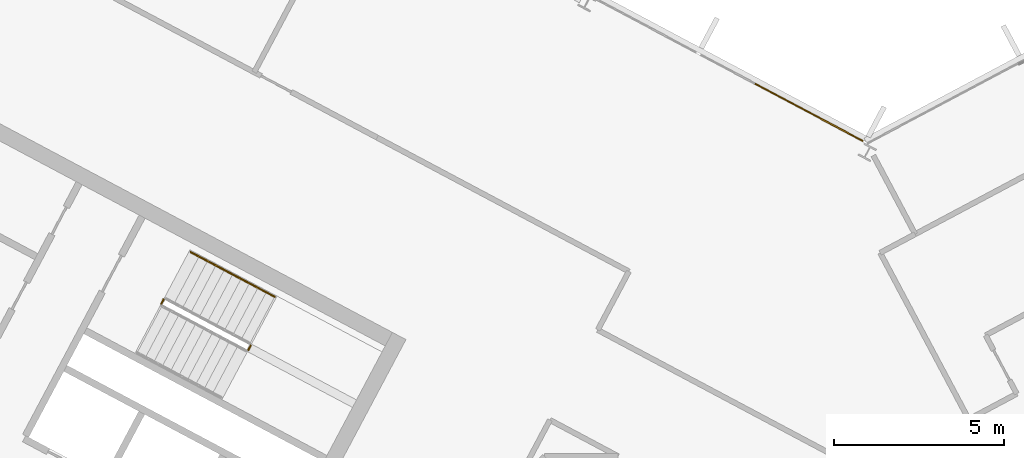
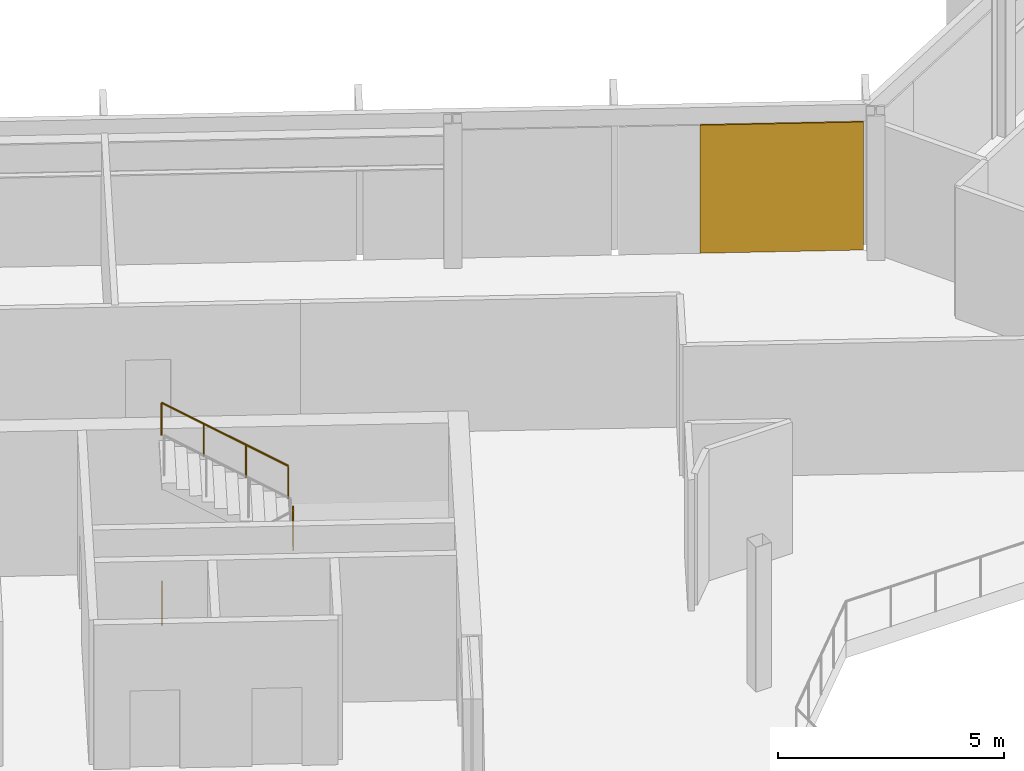
# One storey, part 25 of 30: 3 railings, 1 covering, 1 element without a shape of its own.
"""IFC4 building model written with IfcOpenShell, lengths in metres."""

import ifcopenshell
import ifcopenshell.guid

model = None  # the IFC model being written
_history = None  # IfcOwnerHistory: only IFC2X3 demands one
_inside = {}  # id of a spatial element -> (the spatial element, [elements in it])
_under = {}  # id of a project, library or spatial element -> (it, [spatial elements below it])
_declared = {}  # id of a project -> (the project, [libraries it declares])
_typed = {}  # id of a type object -> (the type object, [elements of that type])
_made_of = {}  # id of a material, layer set ... -> (it, [elements and type objects made of it])


def new_model(schema):
    """Start an empty IFC model of exactly this schema.

    Asked for "IFC4X3", IfcOpenShell would pick the latest addendum, in which some entities
    have other attributes; the version numbers below select the first issue.
    IFC2X3 requires an IfcOwnerHistory on every rooted entity: one is made here for all.
    """
    global model, _history
    if schema == "IFC4X3":
        model = ifcopenshell.file(schema_version=(4, 3, 0, 0))
    else:
        model = ifcopenshell.file(schema=schema)
    _inside.clear()
    _under.clear()
    _declared.clear()
    _typed.clear()
    _made_of.clear()
    _history = None
    if model.schema == "IFC2X3":
        org = make("IfcOrganization", Name="unknown")
        user = make(
            "IfcPersonAndOrganization",
            ThePerson=make("IfcPerson", FamilyName="unknown"),
            TheOrganization=org,
        )
        app = make(
            "IfcApplication",
            ApplicationDeveloper=org,
            Version="unknown",
            ApplicationFullName="unknown",
            ApplicationIdentifier="unknown",
        )
        _history = make(
            "IfcOwnerHistory",
            OwningUser=user,
            OwningApplication=app,
            ChangeAction="ADDED",
            CreationDate=0,
        )
    return model


def make(cls, **values):
    """One entity of the class cls with the attributes given. An attribute that is None is left unset."""
    return model.create_entity(
        cls, **{name: value for name, value in values.items() if value is not None}
    )


def rooted(cls, **values):
    """An entity with a GlobalId (a new one), such as an element, a storey or a relation."""
    return make(cls, GlobalId=ifcopenshell.guid.new(), OwnerHistory=_history, **values)


def si_unit(unit_type, name, prefix=None):
    """IfcSIUnit, for example si_unit("LENGTHUNIT", "METRE", prefix="MILLI")."""
    return make("IfcSIUnit", UnitType=unit_type, Prefix=prefix, Name=name)


def assignment(units):
    """IfcUnitAssignment: the units of a project."""
    return None if units is None else make("IfcUnitAssignment", Units=units)


def point(xyz):
    """IfcCartesianPoint."""
    return None if xyz is None else make("IfcCartesianPoint", Coordinates=xyz)


def direction(xyz):
    """IfcDirection."""
    return None if xyz is None else make("IfcDirection", DirectionRatios=xyz)


def frame(location, z_axis=None, x_axis=None):
    """IfcAxis2Placement3D, a coordinate frame: its origin and axes. An axis left out is left unset."""
    return make(
        "IfcAxis2Placement3D",
        Location=point(location),
        Axis=direction(z_axis),
        RefDirection=direction(x_axis),
    )


def frame_2d(location, x_axis=None):
    """IfcAxis2Placement2D, a coordinate frame in the plane: its origin and x axis."""
    return make(
        "IfcAxis2Placement2D", Location=point(location), RefDirection=direction(x_axis)
    )


def origin():
    """The frame at (0, 0, 0) with its axes left unset."""
    return frame((0.0, 0.0, 0.0))


def origin_2d():
    """The frame at (0, 0) in the plane with its x axis left unset."""
    return frame_2d((0.0, 0.0))


def place(relative_to, where):
    """IfcLocalPlacement: puts the frame where relative to a parent placement (None: the world)."""
    return make(
        "IfcLocalPlacement", PlacementRelTo=relative_to, RelativePlacement=where
    )


def context(
    kind, dimensions, precision=None, world=None, true_north=None, identifier=None
):
    """IfcGeometricRepresentationContext, for example the 3D "Model" context."""
    return make(
        "IfcGeometricRepresentationContext",
        ContextIdentifier=identifier,
        ContextType=kind,
        CoordinateSpaceDimension=dimensions,
        Precision=precision,
        WorldCoordinateSystem=world,
        TrueNorth=true_north,
    )


def subcontext(parent, identifier, kind, view, scale=None):
    """IfcGeometricRepresentationSubContext, for example "Body" below "Model"."""
    return make(
        "IfcGeometricRepresentationSubContext",
        ContextIdentifier=identifier,
        ContextType=kind,
        ParentContext=parent,
        TargetScale=scale,
        TargetView=view,
    )


def project(units=None, contexts=None):
    """IfcProject with its units and contexts."""
    return rooted(
        "IfcProject",
        Name="project",
        RepresentationContexts=contexts,
        UnitsInContext=assignment(units),
    )


def spatial(cls, under=None, at=None, **own):
    """A site, building, storey or space (cls), placed at a placement, below another one or the project."""
    s = rooted(cls, ObjectPlacement=at, **own)
    if under is not None:
        _under.setdefault(under.id(), (under, []))[1].append(s)
    return s


def polyline(points):
    """IfcPolyline through the points."""
    return make("IfcPolyline", Points=[point(p) for p in points])


def profile(cls, at=None, kind="AREA", **sizes):
    """A parametric profile (cls). Its sizes go by their IFC names, for example OverallWidth=200.0."""
    return make(cls, ProfileType=kind, Position=at, **sizes)


def rectangle(**sizes):
    """IfcRectangleProfileDef."""
    return profile("IfcRectangleProfileDef", **sizes)


def outline(outer, holes=None, kind="AREA"):
    """IfcArbitraryClosedProfileDef: a profile drawn as a closed curve; with holes, ...WithVoids."""
    if holes is None:
        return make("IfcArbitraryClosedProfileDef", ProfileType=kind, OuterCurve=outer)
    return make(
        "IfcArbitraryProfileDefWithVoids",
        ProfileType=kind,
        OuterCurve=outer,
        InnerCurves=holes,
    )


def extrude(swept, where, along, depth):
    """IfcExtrudedAreaSolid: the profile swept, set in the frame where, extruded along a direction by depth."""
    return make(
        "IfcExtrudedAreaSolid",
        SweptArea=swept,
        Position=where,
        ExtrudedDirection=direction(along),
        Depth=depth,
    )


def shape(context_of_items, identifier, shape_type, items):
    """IfcShapeRepresentation: the items that make up one representation, for example the "Body"."""
    return make(
        "IfcShapeRepresentation",
        ContextOfItems=context_of_items,
        RepresentationIdentifier=identifier,
        RepresentationType=shape_type,
        Items=items,
    )


def material(Name=None, Category=None):
    """IfcMaterial."""
    return make("IfcMaterial", Name=Name, Category=Category)


def layer(
    of_material, thickness, ventilated=None, Name=None, Category=None, Priority=None
):
    """IfcMaterialLayer: one layer of a wall or slab, of a material (None: an air gap)."""
    return make(
        "IfcMaterialLayer",
        Material=of_material,
        LayerThickness=thickness,
        IsVentilated=ventilated,
        Name=Name,
        Category=Category,
        Priority=Priority,
    )


def layer_set(layers, Name=None):
    """IfcMaterialLayerSet."""
    return make("IfcMaterialLayerSet", MaterialLayers=layers, LayerSetName=Name)


def made_of(thing, what):
    """Note that an element or type object is made of a material, layer set ...; save() writes the relation."""
    if what is not None:
        _made_of.setdefault(what.id(), (what, []))[1].append(thing)
    return thing


def type_object(cls, material=None, **own):
    """A type object (cls), such as IfcWallType, which elements share."""
    return made_of(rooted(cls, **own), material)


def element(
    cls,
    number,
    at=None,
    inside=None,
    cuts=None,
    type_object=None,
    material=None,
    context=None,
    identifier="Body",
    shape_type=None,
    held_by="IfcProductDefinitionShape",
    body=None,
    shapes=None,
    **own,
):
    """One element of the class cls, such as IfcWall. Its Tag is "e" and its number.

    at: its placement. inside: the storey or other place that contains it. cuts: it is an
    opening in that element (IfcRelVoidsElement). A single representation is given by context,
    identifier, shape_type and body (its items); several are given by shapes. held_by: the class
    of the entity that holds the representations. save() writes the other relations.
    """
    e = rooted(cls, Tag="e%d" % number, ObjectPlacement=at, **own)
    if body is not None:
        shapes = [shape(context, identifier, shape_type, body)]
    if shapes is not None:
        e.Representation = make(held_by, Representations=shapes)
    if inside is not None:
        _inside.setdefault(inside.id(), (inside, []))[1].append(e)
    if cuts is not None:
        rooted(
            "IfcRelVoidsElement", RelatingBuildingElement=cuts, RelatedOpeningElement=e
        )
    if type_object is not None:
        _typed.setdefault(type_object.id(), (type_object, []))[1].append(e)
    return made_of(e, material)


def aggregate(whole, parts):
    """IfcRelAggregates: a whole, such as a stair, and the parts it consists of."""
    return rooted("IfcRelAggregates", RelatingObject=whole, RelatedObjects=parts)


def save(model, path):
    """Write the relations noted so far, then the file.

    IfcRelAggregates (storeys below a building ...), IfcRelContainedInSpatialStructure (elements
    in a storey), IfcRelDefinesByType, IfcRelAssociatesMaterial and IfcRelDeclares: one each for
    every whole, place, type object, material and project.
    """
    for whole, parts in _under.values():
        aggregate(whole, parts)
    for where, things in _inside.values():
        rooted(
            "IfcRelContainedInSpatialStructure",
            RelatedElements=things,
            RelatingStructure=where,
        )
    for kind, things in _typed.values():
        rooted("IfcRelDefinesByType", RelatedObjects=things, RelatingType=kind)
    for what, things in _made_of.values():
        rooted("IfcRelAssociatesMaterial", RelatedObjects=things, RelatingMaterial=what)
    for by, libraries in _declared.values():
        rooted("IfcRelDeclares", RelatingContext=by, RelatedDefinitions=libraries)
    model.write(path)


model = new_model("IFC4")

# Units and contexts
model_context = context("Model", 3, precision=1e-05, world=origin(), true_north=direction((0.0, 1.0)))
body_context = subcontext(model_context, "Body", "Model", "MODEL_VIEW")
ifc_project = project(units=[si_unit("LENGTHUNIT", "METRE"), si_unit("AREAUNIT", "SQUARE_METRE"), si_unit("VOLUMEUNIT", "CUBIC_METRE"), si_unit("PLANEANGLEUNIT", "RADIAN"), si_unit("MASSUNIT", "GRAM", prefix="KILO")], contexts=[model_context])

# Site, building, storey
site_placement = place(None, origin())
site = spatial("IfcSite", under=ifc_project, at=site_placement, CompositionType="ELEMENT")
building_placement = place(site_placement, origin())
building = spatial("IfcBuilding", under=site, at=building_placement, Name="Cormorant Relay Tower", CompositionType="ELEMENT")
storey_placement = place(building_placement, frame((0.0, 0.0, 258.0)))
storey = spatial("IfcBuildingStorey", under=building, at=storey_placement, Name="L57", CompositionType="ELEMENT", Elevation=258.0)

# Curtain wall, covering
ifc_material_1 = material(Name="Aluminium 6063-T6 anodised bronze", Category="aluminium")
ifc_layer_1 = layer(ifc_material_1, 0.199951171875)
ifc_layer_set_1 = layer_set([ifc_layer_1], Name="CW1 unitised bronze curtain wall with vertical fins")
curtain_wall_type = type_object("IfcCurtainWallType", Name="CW1 unitised bronze curtain wall with vertical fins", PredefinedType="NOTDEFINED", material=ifc_layer_set_1)
curtain_wall_placement = place(storey_placement, origin())
curtain_wall = element("IfcCurtainWall", 1, at=curtain_wall_placement, inside=storey, type_object=curtain_wall_type, Name="CW1 curtain wall 9", PredefinedType="NOTDEFINED")
ifc_material_2 = material(Name="Pale bronze anodised aluminium insulated panel", Category="aluminium")
ifc_layer_2 = layer(ifc_material_2, 0.0400390625)
ifc_layer_set_2 = layer_set([ifc_layer_2], Name="CW1 pale bronze insulated panel 40")
covering_type = type_object("IfcCoveringType", Name="CW1 pale bronze insulated panel 40", PredefinedType="CLADDING", material=ifc_layer_set_2)
covering_placement = place(storey_placement, frame((-1.718505859375, 24.720458984375, 0.0), z_axis=(0.0, 0.0, 1.0), x_axis=(-0.882947592859, 0.469471562786, 0.0)))
covering = element("IfcCovering", 2, at=covering_placement, type_object=covering_type, Name="CW1 panel S00", PredefinedType="CLADDING", context=body_context, shape_type="SweptSolid", body=[
    extrude(rectangle(XDim=3.614013671875, YDim=0.0400390625, at=origin_2d()), origin(), (0.0, 0.0, 1.0), 3.449951171875),
])
aggregate(curtain_wall, [covering])

# Railings
ifc_material_3 = material(Name="Steel ASTM A572 Grade 50 (Fy 345 MPa)", Category="steel")
railing_type_1 = type_object("IfcRailingType", Name="Stair guard 1100", PredefinedType="GUARDRAIL", material=ifc_material_3)
railing_1_placement = place(storey_placement, frame((-18.210693359375, 17.72412109375, 1.949951171875)))
element("IfcRailing", 3, at=railing_1_placement, inside=storey, type_object=railing_type_1, Name="L57 A1 stair guard 2", PredefinedType="GUARDRAIL", context=body_context, shape_type="SweptSolid", body=[
    extrude(outline(polyline([(0.022216796875, 0.00927734375), (0.00927734375, 0.022216796875), (-0.00927734375, 0.022216796875), (-0.022216796875, 0.00927734375), (-0.022216796875, -0.00927734375), (-0.00927734375, -0.022216796875), (0.00927734375, -0.022216796875), (0.022216796875, -0.00927734375), (0.022216796875, 0.00927734375)])), frame((0.0, 0.0, 1.076171875), z_axis=(0.470503732759, 0.882398003998, 0.0), x_axis=(-0.882398003998, 0.470503732759, 0.0)), (0.0, 0.0, 1.0), 0.14990234375),
    extrude(outline(polyline([(0.019287109375, 0.008056640625), (0.008056640625, 0.019287109375), (-0.008056640625, 0.019287109375), (-0.019287109375, 0.008056640625), (-0.019287109375, -0.008056640625), (-0.008056640625, -0.019287109375), (0.008056640625, -0.019287109375), (0.019287109375, -0.008056640625), (0.019287109375, 0.008056640625)])), origin(), (0.0, 0.0, 1.0), 1.052001953125),
    extrude(outline(polyline([(0.019287109375, 0.008056640625), (0.008056640625, 0.019287109375), (-0.008056640625, 0.019287109375), (-0.019287109375, 0.008056640625), (-0.019287109375, -0.008056640625), (-0.008056640625, -0.019287109375), (0.008056640625, -0.019287109375), (0.019287109375, -0.008056640625), (0.019287109375, 0.008056640625)])), frame((0.070556640625, 0.13232421875, 0.0)), (0.0, 0.0, 1.0), 1.052001953125),
])
railing_2_placement = place(storey_placement, frame((-20.771240234375, 19.08544921875, 0.0)))
element("IfcRailing", 4, at=railing_2_placement, inside=storey, type_object=railing_type_1, Name="L57 A1 stair guard 4", PredefinedType="GUARDRAIL", context=body_context, shape_type="SweptSolid", body=[
    extrude(outline(polyline([(0.022216796875, 0.00927734375), (0.00927734375, 0.022216796875), (-0.00927734375, 0.022216796875), (-0.022216796875, 0.00927734375), (-0.022216796875, -0.00927734375), (-0.00927734375, -0.022216796875), (0.00927734375, -0.022216796875), (0.022216796875, -0.00927734375), (0.022216796875, 0.00927734375)])), frame((0.0, 0.0, 1.076171875), z_axis=(0.469828648786, 0.882757634224, 0.0), x_axis=(-0.882757634224, 0.469828648786, 0.0)), (0.0, 0.0, 1.0), 0.150146484375),
    extrude(outline(polyline([(0.019287109375, 0.008056640625), (0.008056640625, 0.019287109375), (-0.008056640625, 0.019287109375), (-0.019287109375, 0.008056640625), (-0.019287109375, -0.008056640625), (-0.008056640625, -0.019287109375), (0.008056640625, -0.019287109375), (0.019287109375, -0.008056640625), (0.019287109375, 0.008056640625)])), origin(), (0.0, 0.0, 1.0), 1.052001953125),
    extrude(outline(polyline([(0.019287109375, 0.008056640625), (0.008056640625, 0.019287109375), (-0.008056640625, 0.019287109375), (-0.019287109375, 0.008056640625), (-0.019287109375, -0.008056640625), (-0.008056640625, -0.019287109375), (0.008056640625, -0.019287109375), (0.019287109375, -0.008056640625), (0.019287109375, 0.008056640625)])), frame((0.070556640625, 0.132568359375, 0.0)), (0.0, 0.0, 1.0), 1.052001953125),
])
ifc_material_4 = material(Name="Steel ASTM A572 Grade 50 (Fy 345 MPa)", Category="steel")
railing_type_2 = type_object("IfcRailingType", Name="Stair handrail 900", PredefinedType="HANDRAIL", material=ifc_material_4)
railing_3_placement = place(storey_placement, frame((-17.433349609375, 19.292724609375, 2.127197265625)))
element("IfcRailing", 5, at=railing_3_placement, inside=storey, type_object=railing_type_2, Name="L57 A1 stair handrail 2", PredefinedType="HANDRAIL", context=body_context, shape_type="SweptSolid", body=[
    extrude(outline(polyline([(0.022216796875, 0.00927734375), (0.00927734375, 0.022216796875), (-0.00927734375, 0.022216796875), (-0.022216796875, 0.00927734375), (-0.022216796875, -0.00927734375), (-0.00927734375, -0.022216796875), (0.00927734375, -0.022216796875), (0.022216796875, -0.00927734375), (0.022216796875, 0.00927734375)])), frame((0.0, 0.0, 0.8759765625), z_axis=(-0.746001213114, 0.396649272309, 0.534931345884), x_axis=(-0.469465464807, -0.882950835185, 0.0)), (0.0, 0.0, 1.0), 3.31396484375),
    extrude(outline(polyline([(0.019287109375, 0.008056640625), (0.008056640625, 0.019287109375), (-0.008056640625, 0.019287109375), (-0.019287109375, 0.008056640625), (-0.019287109375, -0.008056640625), (-0.008056640625, -0.019287109375), (0.008056640625, -0.019287109375), (0.019287109375, -0.008056640625), (0.019287109375, 0.008056640625)])), origin(), (0.0, 0.0, 1.0), 0.851806640625),
    extrude(outline(polyline([(0.019287109375, 0.008056640625), (0.008056640625, 0.019287109375), (-0.008056640625, 0.019287109375), (-0.019287109375, 0.008056640625), (-0.019287109375, -0.008056640625), (-0.008056640625, -0.019287109375), (0.008056640625, -0.019287109375), (0.019287109375, -0.008056640625), (0.019287109375, 0.008056640625)])), frame((-0.823974609375, 0.438232421875, 0.5908203125)), (0.0, 0.0, 1.0), 0.851806640625),
    extrude(outline(polyline([(0.019287109375, 0.008056640625), (0.008056640625, 0.019287109375), (-0.008056640625, 0.019287109375), (-0.019287109375, 0.008056640625), (-0.019287109375, -0.008056640625), (-0.008056640625, -0.019287109375), (0.008056640625, -0.019287109375), (0.019287109375, -0.008056640625), (0.019287109375, 0.008056640625)])), frame((-1.648193359375, 0.876220703125, 1.181884765625)), (0.0, 0.0, 1.0), 0.851806640625),
    extrude(outline(polyline([(0.019287109375, 0.008056640625), (0.008056640625, 0.019287109375), (-0.008056640625, 0.019287109375), (-0.019287109375, 0.008056640625), (-0.019287109375, -0.008056640625), (-0.008056640625, -0.019287109375), (0.008056640625, -0.019287109375), (0.019287109375, -0.008056640625), (0.019287109375, 0.008056640625)])), frame((-2.47216796875, 1.314453125, 1.772705078125)), (0.0, 0.0, 1.0), 0.851806640625),
])

save(model, "model.ifc")
